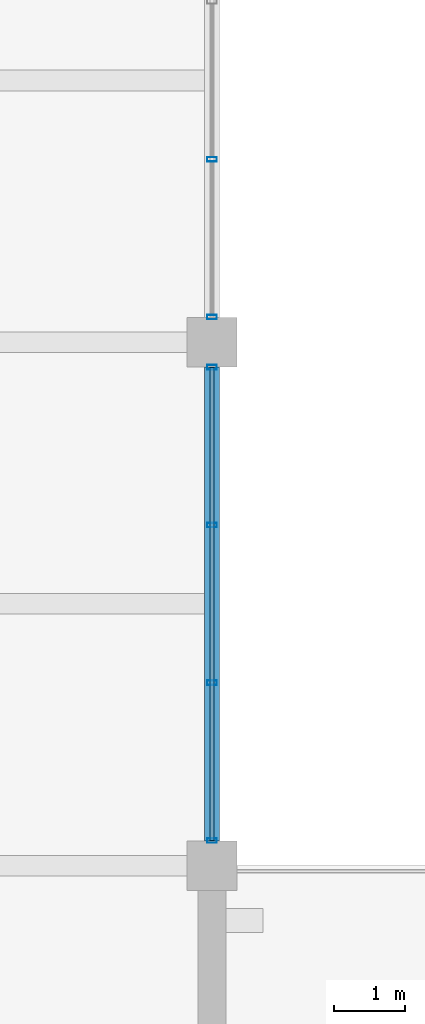
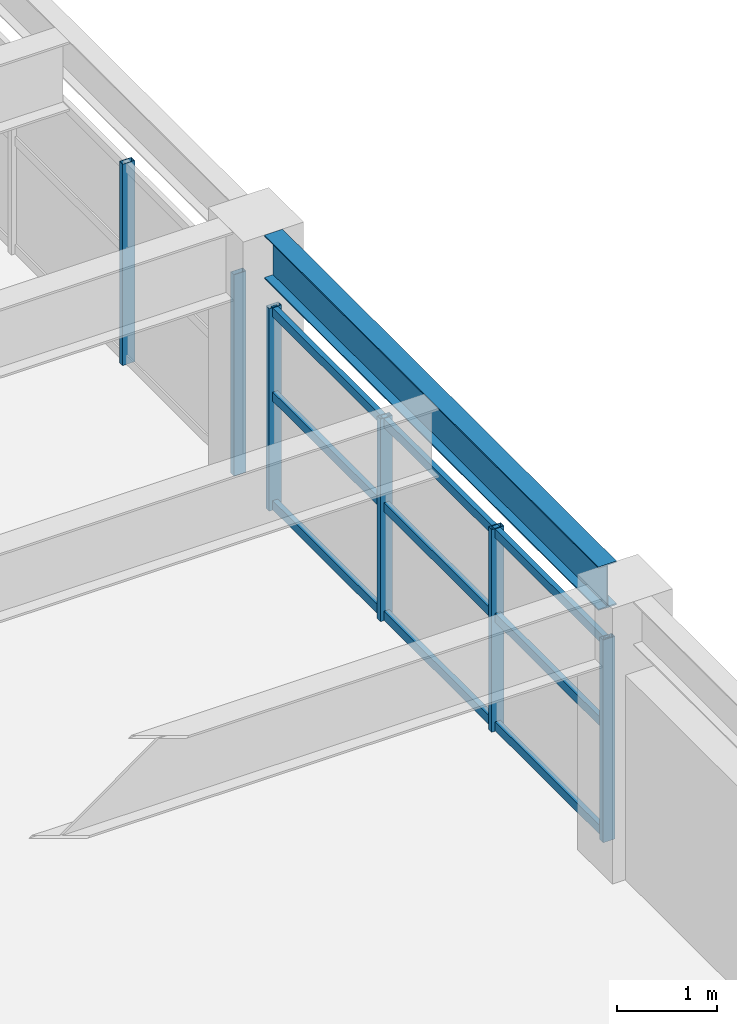
# One storey, part 30 of 121: 9 members, 1 beam, 2 elements without a shape of their own.
"""IFC4 building model written with IfcOpenShell, lengths in metres."""

from ifc_helpers import new_model, si_unit, direction, frame, origin, origin_2d, place, context, subcontext, project, spatial, hollow_rectangle, i_section, extrude, material, material_profile, profile_set, type_object, element, aggregate, save


model = new_model("IFC4")

# Units and contexts
model_context = context("Model", 3, precision=1e-05, world=origin(), true_north=direction((0.0, 1.0)))
body_context = subcontext(model_context, "Body", "Model", "MODEL_VIEW")
ifc_project = project(units=[si_unit("LENGTHUNIT", "METRE"), si_unit("AREAUNIT", "SQUARE_METRE"), si_unit("VOLUMEUNIT", "CUBIC_METRE"), si_unit("PLANEANGLEUNIT", "RADIAN"), si_unit("MASSUNIT", "GRAM", prefix="KILO")], contexts=[model_context])

# Site, building, storey
site_placement = place(None, origin())
site = spatial("IfcSite", under=ifc_project, at=site_placement, CompositionType="ELEMENT")
building_placement = place(site_placement, origin())
building = spatial("IfcBuilding", under=site, at=building_placement, Name="Cimatlan Art Gallery", CompositionType="ELEMENT")
storey_placement = place(building_placement, frame((0.0, 0.0, 10.199951171875)))
storey = spatial("IfcBuildingStorey", under=building, at=storey_placement, Name="L02", CompositionType="ELEMENT", Elevation=10.199951171875)

# Beam
ifc_material_1 = material(Name="Steel ASTM A992 Grade 50", Category="steel")
ifc_material_profile_1 = material_profile(ifc_material_1, i_section(OverallWidth=0.2099609375, OverallDepth=0.532958984375, WebThickness=0.01025390625, FlangeThickness=0.015625, at=origin_2d()), Name="W21X62")
ifc_profile_set_1 = profile_set([ifc_material_profile_1], Name="Steel ASTM A992 Grade 50")
beam_type = type_object("IfcBeamType", Name="BM-STL-W21X62", PredefinedType="BEAM", material=ifc_profile_set_1)
beam_placement = place(storey_placement, frame((99.199951171875, 39.050048828125, 3.103515625), z_axis=(0.0, 1.0, 0.0), x_axis=(-1.0, 0.0, 0.0)))
element("IfcBeam", 1, at=beam_placement, inside=storey, type_object=beam_type, Name="BM-Y-L02-12-05", PredefinedType="BEAM", context=body_context, shape_type="SweptSolid", body=[
    extrude(i_section(OverallWidth=0.2099609375, OverallDepth=0.532958984375, WebThickness=0.01025390625, FlangeThickness=0.015625, at=origin_2d()), origin(), (0.0, 0.0, 1.0), 6.699951171875),
])

# Curtain wall, members
ifc_material_2 = material(Name="Anodised bronze unitised curtain wall")
curtain_wall_type_1 = type_object("IfcCurtainWallType", Name="CW-V-06692X02479-B3", PredefinedType="NOTDEFINED", material=ifc_material_2)
curtain_wall_1_placement = place(storey_placement, origin())
curtain_wall_1 = element("IfcCurtainWall", 2, at=curtain_wall_1_placement, inside=storey, type_object=curtain_wall_type_1, Name="CW-L02-11-05-E", PredefinedType="NOTDEFINED")
ifc_material_3 = material(Name="Anodised bronze aluminium 6063-T6", Category="aluminium")
ifc_material_profile_2 = material_profile(ifc_material_3, hollow_rectangle(XDim=0.06494140625, YDim=0.139892578125, WallThickness=0.00390625, at=origin_2d()), Name="ALU65X140X4")
ifc_profile_set_2 = profile_set([ifc_material_profile_2], Name="Anodised bronze aluminium 6063-T6")
member_type_1 = type_object("IfcMemberType", Name="CW-MUL-140", PredefinedType="MULLION", material=ifc_profile_set_2)
member_1_placement = place(storey_placement, frame((99.199951171875, 45.74609375, 0.0), z_axis=(0.0, 0.0, 1.0), x_axis=(0.0, 1.0, 0.0)))
member_1 = element("IfcMember", 3, at=member_1_placement, type_object=member_type_1, Name="CW-L02-11-05-E-M1", PredefinedType="MULLION", context=body_context, shape_type="SweptSolid", body=[
    extrude(hollow_rectangle(XDim=0.06494140625, YDim=0.139892578125, WallThickness=0.00390625, at=origin_2d()), origin(), (0.0, 0.0, 1.0), 2.47900390625),
])
member_2_placement = place(storey_placement, frame((99.199951171875, 43.515380859375, 0.0), z_axis=(0.0, 0.0, 1.0), x_axis=(0.0, 1.0, 0.0)))
member_2 = element("IfcMember", 4, at=member_2_placement, type_object=member_type_1, Name="CW-L02-11-05-E-M2", PredefinedType="MULLION", context=body_context, shape_type="SweptSolid", body=[
    extrude(hollow_rectangle(XDim=0.06494140625, YDim=0.139892578125, WallThickness=0.00390625, at=origin_2d()), origin(), (0.0, 0.0, 1.0), 2.47900390625),
])
member_3_placement = place(storey_placement, frame((99.199951171875, 41.28466796875, 0.0), z_axis=(0.0, 0.0, 1.0), x_axis=(0.0, 1.0, 0.0)))
member_3 = element("IfcMember", 5, at=member_3_placement, type_object=member_type_1, Name="CW-L02-11-05-E-M3", PredefinedType="MULLION", context=body_context, shape_type="SweptSolid", body=[
    extrude(hollow_rectangle(XDim=0.06494140625, YDim=0.139892578125, WallThickness=0.00390625, at=origin_2d()), origin(), (0.0, 0.0, 1.0), 2.47900390625),
])
member_4_placement = place(storey_placement, frame((99.199951171875, 39.053955078125, 0.0), z_axis=(0.0, 0.0, 1.0), x_axis=(0.0, 1.0, 0.0)))
member_4 = element("IfcMember", 6, at=member_4_placement, type_object=member_type_1, Name="CW-L02-11-05-E-M4", PredefinedType="MULLION", context=body_context, shape_type="SweptSolid", body=[
    extrude(hollow_rectangle(XDim=0.06494140625, YDim=0.139892578125, WallThickness=0.00390625, at=origin_2d()), origin(), (0.0, 0.0, 1.0), 2.47900390625),
])

curtain_wall_type_2 = type_object("IfcCurtainWallType", Name="CW-V-06692X02464-B3", PredefinedType="NOTDEFINED", material=ifc_material_2)
curtain_wall_2_placement = place(storey_placement, origin())
curtain_wall_2 = element("IfcCurtainWall", 7, at=curtain_wall_2_placement, inside=storey, type_object=curtain_wall_type_2, Name="CW-L02-11-06-E", PredefinedType="NOTDEFINED")
member_5_placement = place(storey_placement, frame((99.199951171875, 48.6845703125, 0.0), z_axis=(0.0, 0.0, 1.0), x_axis=(0.0, 1.0, 0.0)))
member_5 = element("IfcMember", 8, at=member_5_placement, type_object=member_type_1, Name="CW-L02-11-06-E-M3", PredefinedType="MULLION", context=body_context, shape_type="SweptSolid", body=[
    extrude(hollow_rectangle(XDim=0.06494140625, YDim=0.139892578125, WallThickness=0.00390625, at=origin_2d()), origin(), (0.0, 0.0, 1.0), 2.464111328125),
])
member_6_placement = place(storey_placement, frame((99.199951171875, 46.4541015625, 0.0), z_axis=(0.0, 0.0, 1.0), x_axis=(0.0, 1.0, 0.0)))
member_6 = element("IfcMember", 9, at=member_6_placement, type_object=member_type_1, Name="CW-L02-11-06-E-M4", PredefinedType="MULLION", context=body_context, shape_type="SweptSolid", body=[
    extrude(hollow_rectangle(XDim=0.06494140625, YDim=0.139892578125, WallThickness=0.00390625, at=origin_2d()), origin(), (0.0, 0.0, 1.0), 2.464111328125),
])
aggregate(curtain_wall_2, [member_5, member_6])

# Member
ifc_material_profile_3 = material_profile(ifc_material_3, hollow_rectangle(XDim=0.06005859375, YDim=0.110107421875, WallThickness=0.00341796875, at=origin_2d()), Name="ALU60X110X3")
ifc_profile_set_3 = profile_set([ifc_material_profile_3], Name="Anodised bronze aluminium 6063-T6")
member_type_2 = type_object("IfcMemberType", Name="CW-TRN-110", PredefinedType="USERDEFINED", material=ifc_profile_set_3)
member_7_placement = place(storey_placement, frame((99.199951171875, 45.74609375, 0.06005859375), z_axis=(0.0, -1.0, 0.0), x_axis=(1.0, 0.0, 0.0)))
member_7 = element("IfcMember", 10, at=member_7_placement, type_object=member_type_2, Name="CW-L02-11-05-E-T1", ObjectType="TRANSOM", PredefinedType="USERDEFINED", context=body_context, shape_type="SweptSolid", body=[
    extrude(hollow_rectangle(XDim=0.06005859375, YDim=0.110107421875, WallThickness=0.00341796875, at=origin_2d()), origin(), (0.0, 0.0, 1.0), 6.692138671875),
])

member_8_placement = place(storey_placement, frame((99.199951171875, 45.74609375, 1.38818359375), z_axis=(0.0, -1.0, 0.0), x_axis=(1.0, 0.0, 0.0)))
member_8 = element("IfcMember", 11, at=member_8_placement, type_object=member_type_2, Name="CW-L02-11-05-E-T2", ObjectType="TRANSOM", PredefinedType="USERDEFINED", context=body_context, shape_type="SweptSolid", body=[
    extrude(hollow_rectangle(XDim=0.06005859375, YDim=0.110107421875, WallThickness=0.00341796875, at=origin_2d()), origin(), (0.0, 0.0, 1.0), 6.692138671875),
])

member_9_placement = place(storey_placement, frame((99.199951171875, 45.74609375, 2.4189453125), z_axis=(0.0, -1.0, 0.0), x_axis=(1.0, 0.0, 0.0)))
member_9 = element("IfcMember", 12, at=member_9_placement, type_object=member_type_2, Name="CW-L02-11-05-E-T3", ObjectType="TRANSOM", PredefinedType="USERDEFINED", context=body_context, shape_type="SweptSolid", body=[
    extrude(hollow_rectangle(XDim=0.06005859375, YDim=0.110107421875, WallThickness=0.00341796875, at=origin_2d()), origin(), (0.0, 0.0, 1.0), 6.692138671875),
])

aggregate(curtain_wall_1, [member_1, member_2, member_3, member_4, member_7, member_8, member_9])

save(model, "model.ifc")
